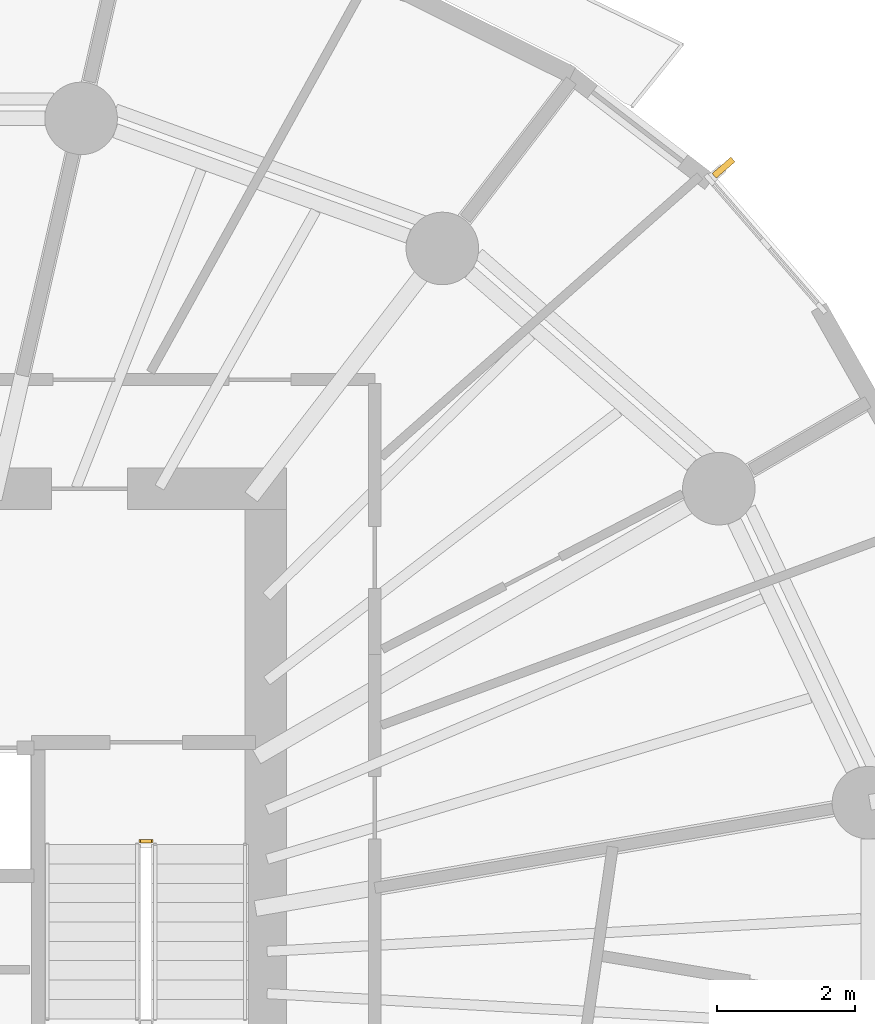
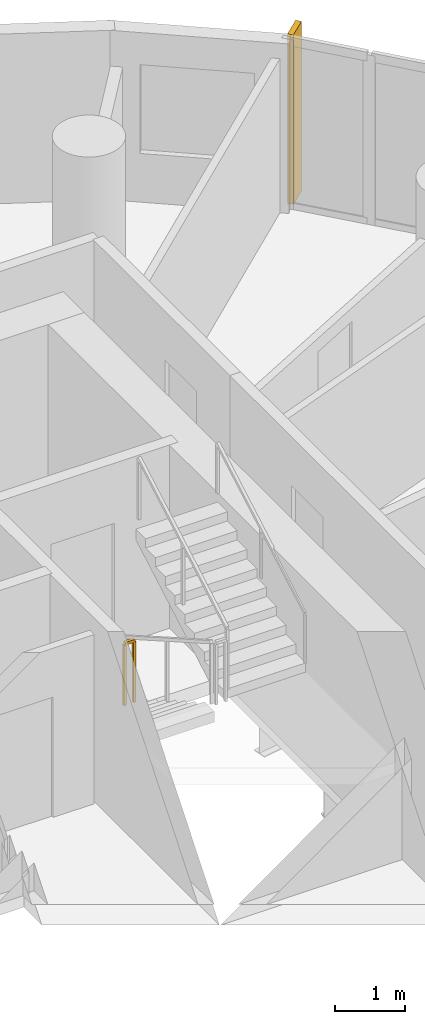
# One storey, part 12 of 12: 1 railing, 1 shading device.
"""IFC4 building model written with IfcOpenShell, lengths in metres."""

from ifc_helpers import new_model, si_unit, direction, frame, origin, origin_2d, place, context, subcontext, project, spatial, rectangle, extrude, material, layer, layer_set, type_object, element, save


model = new_model("IFC4")

# Units and contexts
model_context = context("Model", 3, precision=1e-05, world=origin(), true_north=direction((0.0, 1.0)))
body_context = subcontext(model_context, "Body", "Model", "MODEL_VIEW")
ifc_project = project(units=[si_unit("LENGTHUNIT", "METRE"), si_unit("AREAUNIT", "SQUARE_METRE"), si_unit("VOLUMEUNIT", "CUBIC_METRE"), si_unit("PLANEANGLEUNIT", "RADIAN"), si_unit("MASSUNIT", "GRAM", prefix="KILO")], contexts=[model_context])

# Site, building, storey
site_placement = place(None, origin())
site = spatial("IfcSite", under=ifc_project, at=site_placement, CompositionType="ELEMENT")
building_placement = place(site_placement, origin())
building = spatial("IfcBuilding", under=site, at=building_placement, Name="Veldorim Arch Residences", CompositionType="ELEMENT")
storey_placement = place(building_placement, frame((0.0, 0.0, 145.760009765625)))
storey = spatial("IfcBuildingStorey", under=building, at=storey_placement, Name="L43", CompositionType="ELEMENT", Elevation=145.760009765625)

# Railing
ifc_material_1 = material(Name="Steel S355", Category="steel")
railing_type = type_object("IfcRailingType", Name="Galvanised Steel Stair Safety Guardrail 1100", PredefinedType="GUARDRAIL", material=ifc_material_1)
railing_placement = place(storey_placement, frame((35.68994140625, 25.89990234375, 0.0)))
element("IfcRailing", 1, at=railing_placement, inside=storey, type_object=railing_type, Name="L43 ST-2 stair guard 4", PredefinedType="GUARDRAIL", context=body_context, shape_type="SweptSolid", body=[
    extrude(rectangle(XDim=0.048095703125, YDim=0.048095703125, at=origin_2d()), frame((0.0, 0.0, 1.076171875), z_axis=(1.0, 0.0, 0.0), x_axis=(0.0, 1.0, 0.0)), (0.0, 0.0, 1.0), 0.16015625),
    extrude(rectangle(XDim=0.0419921875, YDim=0.0419921875, at=origin_2d()), origin(), (0.0, 0.0, 1.0), 1.052001953125),
    extrude(rectangle(XDim=0.0419921875, YDim=0.0419921875, at=origin_2d()), frame((0.16015625, 0.0, 0.0)), (0.0, 0.0, 1.0), 1.052001953125),
])

# Shading device
ifc_material_2 = material(Name="Terracotta Ceramic", Category="masonry")
ifc_layer = layer(ifc_material_2, 0.090087890625, Name="Vertical Extruded Terracotta Baguette Sun-Shading Fin")
ifc_layer_set = layer_set([ifc_layer], Name="Terracotta Ceramic")
shading_device_type = type_object("IfcShadingDeviceType", Name="Vertical Extruded Terracotta Baguette Sun-Shading Fin", PredefinedType="USERDEFINED", material=ifc_layer_set)
shading_device_placement = place(storey_placement, frame((44.12451171875, 35.6455078125, 0.0), z_axis=(0.0, 0.0, 1.0), x_axis=(0.656454104053, -0.75436596508, 0.0)))
element("IfcShadingDevice", 2, at=shading_device_placement, inside=storey, type_object=shading_device_type, Name="L43 vertical terracotta sun-shading fin 01", ObjectType="FIN", PredefinedType="USERDEFINED", context=body_context, shape_type="SweptSolid", body=[
    extrude(rectangle(XDim=0.090087890625, YDim=0.360107421875, at=origin_2d()), origin(), (0.0, 0.0, 1.0), 2.9599609375),
])

save(model, "model.ifc")
